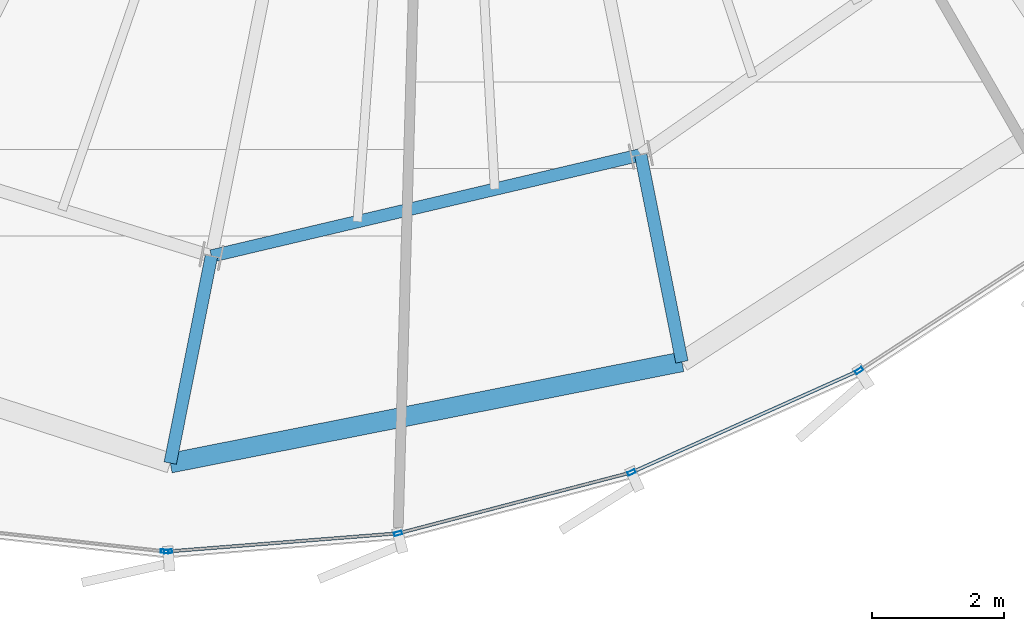
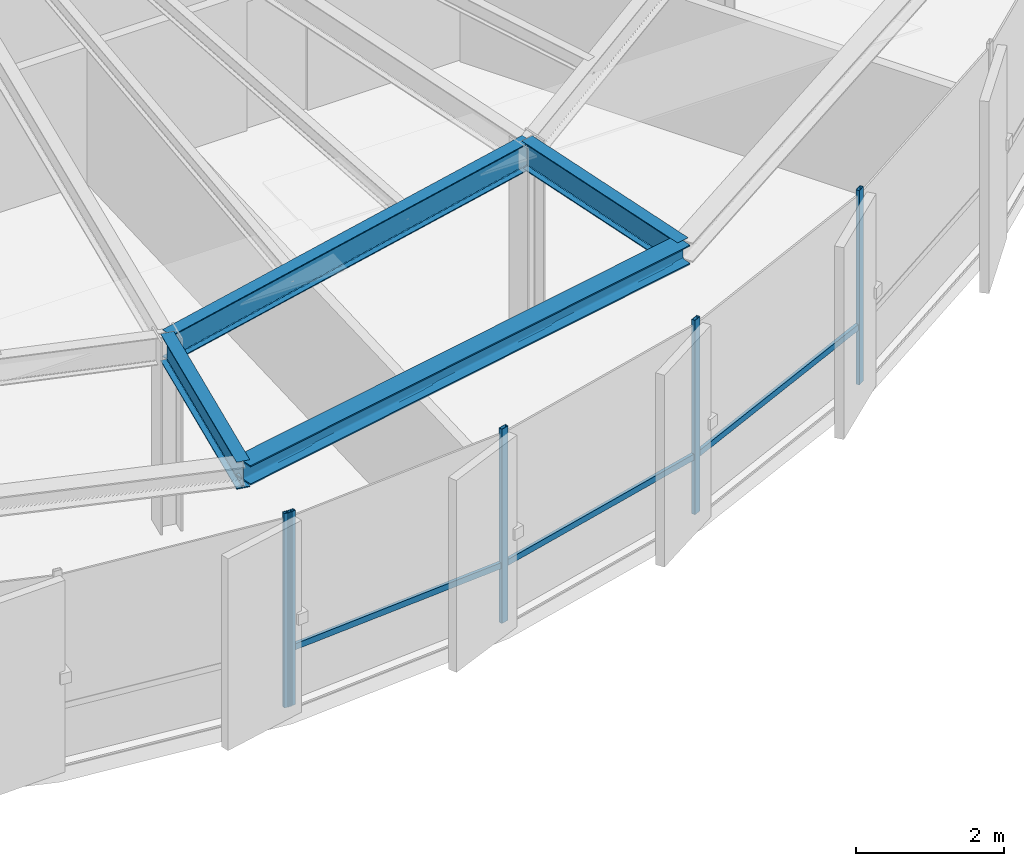
# One storey, part 6 of 32: 8 members, 4 beams, 2 elements without a shape of their own.
"""IFC4 building model written with IfcOpenShell, lengths in metres."""

from ifc_helpers import new_model, si_unit, direction, frame, origin, origin_2d, place, context, subcontext, project, spatial, hollow_rectangle, i_section, extrude, source, transform, mapped, material, layer, layer_set, material_profile, profile_set, type_object, element, aggregate, save


model = new_model("IFC4")

# Units and contexts
model_context = context("Model", 3, precision=1e-05, world=origin(), true_north=direction((0.0, 1.0)))
body_context = subcontext(model_context, "Body", "Model", "MODEL_VIEW")
ifc_project = project(units=[si_unit("LENGTHUNIT", "METRE"), si_unit("AREAUNIT", "SQUARE_METRE"), si_unit("VOLUMEUNIT", "CUBIC_METRE"), si_unit("PLANEANGLEUNIT", "RADIAN"), si_unit("MASSUNIT", "GRAM", prefix="KILO"), si_unit("THERMODYNAMICTEMPERATUREUNIT", "KELVIN")], contexts=[model_context])

# Site, building, storey
site_placement = place(None, origin())
site = spatial("IfcSite", under=ifc_project, at=site_placement, CompositionType="ELEMENT")
building_placement = place(site_placement, origin())
building = spatial("IfcBuilding", under=site, at=building_placement, Name="Kethvar Cultural Tower", CompositionType="ELEMENT")
storey_placement = place(building_placement, frame((0.0, 0.0, 252.550048828125)))
storey = spatial("IfcBuildingStorey", under=building, at=storey_placement, Name="L66", CompositionType="ELEMENT", Elevation=252.550048828125)

# Beams
ifc_material_1 = material(Name="Steel S355J2", Category="steel")
ifc_material_profile_1 = material_profile(ifc_material_1, i_section(OverallWidth=0.18994140625, OverallDepth=0.449951171875, WebThickness=0.009521484375, FlangeThickness=0.0146484375, FilletRadius=0.02099609375, at=origin_2d()), Name="Steel S355J2 — IPE450")
ifc_profile_set_1 = profile_set([ifc_material_profile_1], Name="Steel S355J2 — IPE450")
beam_type_1 = type_object("IfcBeamType", Name="BM-IPE450", PredefinedType="BEAM", material=ifc_profile_set_1)
shared_shape_1 = source(origin(), body_context, "Body", "SweptSolid", [
    extrude(i_section(OverallWidth=0.18994140625, OverallDepth=0.449951171875, WebThickness=0.009521484375, FlangeThickness=0.0146484375, FilletRadius=0.02099609375, at=origin_2d()), origin(), (0.0, 0.0, 1.0), 3.199951171875),
])
beam_1_placement = place(storey_placement, frame((49.901611328125, 12.206787109375, 2.98291015625), z_axis=(0.195088965533, -0.980785550224, 0.0), x_axis=(0.980785550224, 0.195088965533, 0.0)))
element("IfcBeam", 1, at=beam_1_placement, inside=storey, type_object=beam_type_1, Name="L66 Perimeter Cantilever Beam RC-13", PredefinedType="BEAM", context=body_context, shape_type="MappedRepresentation", body=[
    mapped(shared_shape_1, transform((0.0, 0.0, 0.0), scale=1.0)),
])
shared_shape_2 = source(origin(), body_context, "Body", "SweptSolid", [
    extrude(i_section(OverallWidth=0.18994140625, OverallDepth=0.449951171875, WebThickness=0.009521484375, FlangeThickness=0.0146484375, FilletRadius=0.02099609375, at=origin_2d()), origin(), (0.0, 0.0, 1.0), 3.2001953125),
])
beam_2_placement = place(storey_placement, frame((43.392822265625, 10.67138671875, 2.98291015625), z_axis=(-0.195074368086, -0.980788453702, 0.0), x_axis=(0.980788453702, -0.195074368086, 0.0)))
element("IfcBeam", 2, at=beam_2_placement, inside=storey, type_object=beam_type_1, Name="L66 Perimeter Cantilever Beam RC-12", PredefinedType="BEAM", context=body_context, shape_type="MappedRepresentation", body=[
    mapped(shared_shape_2, transform((0.0, 0.0, 0.0), scale=1.0)),
])
shared_shape_3 = source(origin(), body_context, "Body", "SweptSolid", [
    extrude(i_section(OverallWidth=0.18994140625, OverallDepth=0.449951171875, WebThickness=0.009521484375, FlangeThickness=0.0146484375, FilletRadius=0.02099609375, at=origin_2d()), origin(), (0.0, 0.0, 1.0), 6.6875),
])
beam_3_placement = place(storey_placement, frame((43.392822265625, 10.67138671875, 2.98291015625), z_axis=(0.973286301494, 0.22959480683, 0.0), x_axis=(-0.22959480683, 0.973286301494, 0.0)))
element("IfcBeam", 3, at=beam_3_placement, inside=storey, type_object=beam_type_1, Name="L66 Column Ring Tie Beam CR-12", PredefinedType="BEAM", context=body_context, shape_type="MappedRepresentation", body=[
    mapped(shared_shape_3, transform((0.0, 0.0, 0.0), scale=1.0)),
])
ifc_material_profile_2 = material_profile(ifc_material_1, i_section(OverallWidth=0.300048828125, OverallDepth=0.320068359375, WebThickness=0.011474609375, FlangeThickness=0.0205078125, FilletRadius=0.027099609375, at=origin_2d()), Name="Steel S355J2 — HEB320")
ifc_profile_set_2 = profile_set([ifc_material_profile_2], Name="Steel S355J2 — HEB320")
beam_type_2 = type_object("IfcBeamType", Name="BM-SP320", PredefinedType="SPANDREL", material=ifc_profile_set_2)
shared_shape_4 = source(origin(), body_context, "Body", "SweptSolid", [
    extrude(i_section(OverallWidth=0.300048828125, OverallDepth=0.320068359375, WebThickness=0.011474609375, FlangeThickness=0.0205078125, FilletRadius=0.027099609375, at=origin_2d()), origin(), (0.0, 0.0, 1.0), 7.907958984375),
])
beam_4_placement = place(storey_placement, frame((42.7685546875, 7.53271484375, 3.0478515625), z_axis=(0.980963515828, 0.194192122948, 0.0), x_axis=(-0.194192122948, 0.980963515828, 0.0)))
element("IfcBeam", 4, at=beam_4_placement, inside=storey, type_object=beam_type_2, Name="L66 Perimeter Spandrel Beam SP-12", PredefinedType="SPANDREL", context=body_context, shape_type="MappedRepresentation", body=[
    mapped(shared_shape_4, transform((0.0, 0.0, 0.0), scale=1.0)),
])

# Curtain wall, member
ifc_material_2 = material(Name="Aluminium 6063-T6", Category="aluminium")
ifc_layer = layer(ifc_material_2, 0.179931640625, Name="Aluminium 6063-T6", Category="aluminium")
ifc_layer_set = layer_set([ifc_layer], Name="Aluminium 6063-T6 (180 mm)")
curtain_wall_type = type_object("IfcCurtainWallType", Name="CW-SYS-05-Z56", PredefinedType="NOTDEFINED", material=ifc_layer_set)
curtain_wall_1_placement = place(storey_placement, origin())
curtain_wall_1 = element("IfcCurtainWall", 5, at=curtain_wall_1_placement, inside=storey, type_object=curtain_wall_type, Name="L66 Curtain Wall Run 04", PredefinedType="NOTDEFINED")
ifc_material_profile_3 = material_profile(ifc_material_2, hollow_rectangle(XDim=0.054931640625, YDim=0.1201171875, WallThickness=0.00390625, at=origin_2d()), Name="Aluminium 6063-T6 — RHS120x55x4")
ifc_profile_set_3 = profile_set([ifc_material_profile_3], Name="Aluminium 6063-T6 — RHS120x55x4")
member_type_1 = type_object("IfcMemberType", Name="CW-SYS-05-Z56-MUL", PredefinedType="MULLION", material=ifc_profile_set_3)
shared_shape_5 = source(origin(), body_context, "Body", "SweptSolid", [
    extrude(hollow_rectangle(XDim=0.054931640625, YDim=0.1201171875, WallThickness=0.00390625, at=origin_2d()), origin(), (0.0, 0.0, 1.0), 3.2099609375),
])
member_1_placement = place(storey_placement, frame((42.684814453125, 6.194580078125, 0.0), z_axis=(0.0, 0.0, 1.0), x_axis=(0.11091389014, 0.993830020161, 0.0)))
member_1 = element("IfcMember", 6, at=member_1_placement, type_object=member_type_1, Name="CW-L66-R04 Mullion 7", PredefinedType="MULLION", context=body_context, shape_type="MappedRepresentation", body=[
    mapped(shared_shape_5, transform((0.0, 0.0, 0.0), scale=1.0)),
])
aggregate(curtain_wall_1, [member_1])

# Curtain wall, members
curtain_wall_2_placement = place(storey_placement, origin())
curtain_wall_2 = element("IfcCurtainWall", 7, at=curtain_wall_2_placement, inside=storey, type_object=curtain_wall_type, Name="L66 Curtain Wall Run 05", PredefinedType="NOTDEFINED")
member_2_placement = place(storey_placement, frame((42.73681640625, 6.19384765625, 0.0), z_axis=(0.0, 0.0, 1.0), x_axis=(-0.07849389466, 0.996914594387, 0.0)))
member_2 = element("IfcMember", 8, at=member_2_placement, type_object=member_type_1, Name="CW-L66-R05 Mullion 1", PredefinedType="MULLION", context=body_context, shape_type="MappedRepresentation", body=[
    mapped(shared_shape_5, transform((0.0, 0.0, 0.0), scale=1.0)),
])
member_3_placement = place(storey_placement, frame((46.22216796875, 6.466796875, 0.0), z_axis=(0.0, 0.0, 1.0), x_axis=(-0.253031946887, 0.967457923558, 0.0)))
member_3 = element("IfcMember", 9, at=member_3_placement, type_object=member_type_1, Name="CW-L66-R05 Mullion 2", PredefinedType="MULLION", context=body_context, shape_type="MappedRepresentation", body=[
    mapped(shared_shape_5, transform((0.0, 0.0, 0.0), scale=1.0)),
])
member_4_placement = place(storey_placement, frame((49.76171875, 7.39111328125, 0.0), z_axis=(0.0, 0.0, 1.0), x_axis=(-0.409031346233, 0.912520332814, 0.0)))
member_4 = element("IfcMember", 10, at=member_4_placement, type_object=member_type_1, Name="CW-L66-R05 Mullion 3", PredefinedType="MULLION", context=body_context, shape_type="MappedRepresentation", body=[
    mapped(shared_shape_5, transform((0.0, 0.0, 0.0), scale=1.0)),
])
member_5_placement = place(storey_placement, frame((53.2119140625, 8.936279296875, 0.0), z_axis=(0.0, 0.0, 1.0), x_axis=(-0.545794884395, 0.837918817171, 0.0)))
member_5 = element("IfcMember", 11, at=member_5_placement, type_object=member_type_1, Name="CW-L66-R05 Mullion 4", PredefinedType="MULLION", context=body_context, shape_type="MappedRepresentation", body=[
    mapped(shared_shape_5, transform((0.0, 0.0, 0.0), scale=1.0)),
])
ifc_material_profile_4 = material_profile(ifc_material_2, hollow_rectangle(XDim=0.050048828125, YDim=0.10009765625, WallThickness=0.00390625, at=origin_2d()), Name="Aluminium 6063-T6 — RHS100x50x4")
ifc_profile_set_4 = profile_set([ifc_material_profile_4], Name="Aluminium 6063-T6 — RHS100x50x4")
member_type_2 = type_object("IfcMemberType", Name="CW-SYS-05-Z56-TRN", PredefinedType="USERDEFINED", material=ifc_profile_set_4)
shared_shape_6 = source(origin(), body_context, "Body", "SweptSolid", [
    extrude(hollow_rectangle(XDim=0.050048828125, YDim=0.10009765625, WallThickness=0.00390625, at=origin_2d()), origin(), (0.0, 0.0, 1.0), 3.47021484375),
])
member_6_placement = place(storey_placement, frame((42.74072265625, 6.194091796875, 0.949951171875), z_axis=(0.996912947405, 0.078514809407, 0.0), x_axis=(-0.078514809407, 0.996912947405, 0.0)))
member_6 = element("IfcMember", 12, at=member_6_placement, type_object=member_type_2, Name="CW-L66-R05 Transom 1", ObjectType="TRANSOM", PredefinedType="USERDEFINED", context=body_context, shape_type="MappedRepresentation", body=[
    mapped(shared_shape_6, transform((0.0, 0.0, 0.0), scale=1.0)),
])
shared_shape_7 = source(origin(), body_context, "Body", "SweptSolid", [
    extrude(hollow_rectangle(XDim=0.050048828125, YDim=0.10009765625, WallThickness=0.00390625, at=origin_2d()), origin(), (0.0, 0.0, 1.0), 3.595458984375),
])
member_7_placement = place(storey_placement, frame((46.260498046875, 6.476806640625, 0.949951171875), z_axis=(0.967465671133, 0.253002322476, 0.0), x_axis=(-0.253002322476, 0.967465671133, 0.0)))
member_7 = element("IfcMember", 13, at=member_7_placement, type_object=member_type_2, Name="CW-L66-R05 Transom 2", ObjectType="TRANSOM", PredefinedType="USERDEFINED", context=body_context, shape_type="MappedRepresentation", body=[
    mapped(shared_shape_7, transform((0.0, 0.0, 0.0), scale=1.0)),
])
shared_shape_8 = source(origin(), body_context, "Body", "SweptSolid", [
    extrude(hollow_rectangle(XDim=0.050048828125, YDim=0.10009765625, WallThickness=0.00390625, at=origin_2d()), origin(), (0.0, 0.0, 1.0), 3.716796875),
])
member_8_placement = place(storey_placement, frame((49.7978515625, 7.4072265625, 0.949951171875), z_axis=(0.912520315335, 0.409031385228, 0.0), x_axis=(-0.409031385228, 0.912520315335, 0.0)))
member_8 = element("IfcMember", 14, at=member_8_placement, type_object=member_type_2, Name="CW-L66-R05 Transom 3", ObjectType="TRANSOM", PredefinedType="USERDEFINED", context=body_context, shape_type="MappedRepresentation", body=[
    mapped(shared_shape_8, transform((0.0, 0.0, 0.0), scale=1.0)),
])
aggregate(curtain_wall_2, [member_2, member_3, member_4, member_5, member_6, member_7, member_8])

save(model, "model.ifc")
